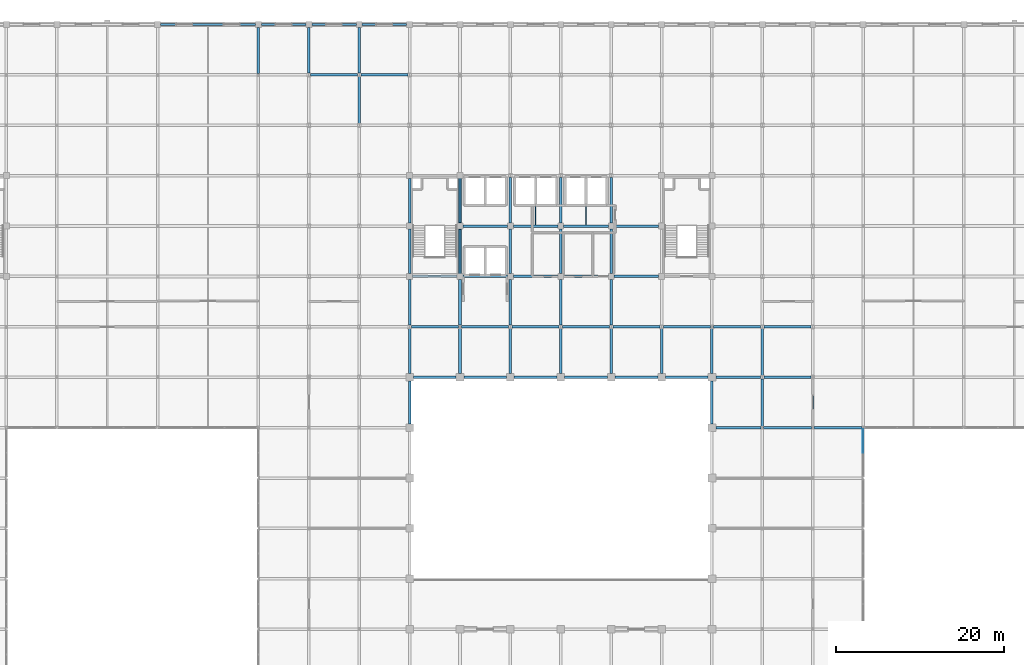
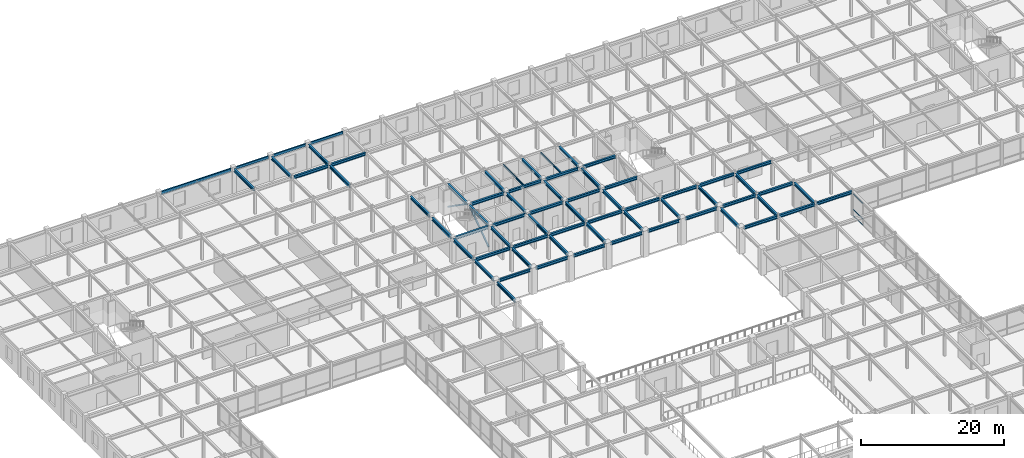
# One storey, part 75 of 108: 67 beams, 5 members, 1 element without a shape of its own.
"""IFC4 building model written with IfcOpenShell, lengths in metres."""

import ifcopenshell
import ifcopenshell.guid

model = None  # the IFC model being written
_history = None  # IfcOwnerHistory: only IFC2X3 demands one
_inside = {}  # id of a spatial element -> (the spatial element, [elements in it])
_under = {}  # id of a project, library or spatial element -> (it, [spatial elements below it])
_declared = {}  # id of a project -> (the project, [libraries it declares])
_typed = {}  # id of a type object -> (the type object, [elements of that type])
_made_of = {}  # id of a material, layer set ... -> (it, [elements and type objects made of it])


def new_model(schema):
    """Start an empty IFC model of exactly this schema.

    Asked for "IFC4X3", IfcOpenShell would pick the latest addendum, in which some entities
    have other attributes; the version numbers below select the first issue.
    IFC2X3 requires an IfcOwnerHistory on every rooted entity: one is made here for all.
    """
    global model, _history
    if schema == "IFC4X3":
        model = ifcopenshell.file(schema_version=(4, 3, 0, 0))
    else:
        model = ifcopenshell.file(schema=schema)
    _inside.clear()
    _under.clear()
    _declared.clear()
    _typed.clear()
    _made_of.clear()
    _history = None
    if model.schema == "IFC2X3":
        org = make("IfcOrganization", Name="unknown")
        user = make(
            "IfcPersonAndOrganization",
            ThePerson=make("IfcPerson", FamilyName="unknown"),
            TheOrganization=org,
        )
        app = make(
            "IfcApplication",
            ApplicationDeveloper=org,
            Version="unknown",
            ApplicationFullName="unknown",
            ApplicationIdentifier="unknown",
        )
        _history = make(
            "IfcOwnerHistory",
            OwningUser=user,
            OwningApplication=app,
            ChangeAction="ADDED",
            CreationDate=0,
        )
    return model


def make(cls, **values):
    """One entity of the class cls with the attributes given. An attribute that is None is left unset."""
    return model.create_entity(
        cls, **{name: value for name, value in values.items() if value is not None}
    )


def rooted(cls, **values):
    """An entity with a GlobalId (a new one), such as an element, a storey or a relation."""
    return make(cls, GlobalId=ifcopenshell.guid.new(), OwnerHistory=_history, **values)


def si_unit(unit_type, name, prefix=None):
    """IfcSIUnit, for example si_unit("LENGTHUNIT", "METRE", prefix="MILLI")."""
    return make("IfcSIUnit", UnitType=unit_type, Prefix=prefix, Name=name)


def assignment(units):
    """IfcUnitAssignment: the units of a project."""
    return None if units is None else make("IfcUnitAssignment", Units=units)


def point(xyz):
    """IfcCartesianPoint."""
    return None if xyz is None else make("IfcCartesianPoint", Coordinates=xyz)


def direction(xyz):
    """IfcDirection."""
    return None if xyz is None else make("IfcDirection", DirectionRatios=xyz)


def frame(location, z_axis=None, x_axis=None):
    """IfcAxis2Placement3D, a coordinate frame: its origin and axes. An axis left out is left unset."""
    return make(
        "IfcAxis2Placement3D",
        Location=point(location),
        Axis=direction(z_axis),
        RefDirection=direction(x_axis),
    )


def frame_2d(location, x_axis=None):
    """IfcAxis2Placement2D, a coordinate frame in the plane: its origin and x axis."""
    return make(
        "IfcAxis2Placement2D", Location=point(location), RefDirection=direction(x_axis)
    )


def origin():
    """The frame at (0, 0, 0) with its axes left unset."""
    return frame((0.0, 0.0, 0.0))


def origin_2d():
    """The frame at (0, 0) in the plane with its x axis left unset."""
    return frame_2d((0.0, 0.0))


def place(relative_to, where):
    """IfcLocalPlacement: puts the frame where relative to a parent placement (None: the world)."""
    return make(
        "IfcLocalPlacement", PlacementRelTo=relative_to, RelativePlacement=where
    )


def context(
    kind, dimensions, precision=None, world=None, true_north=None, identifier=None
):
    """IfcGeometricRepresentationContext, for example the 3D "Model" context."""
    return make(
        "IfcGeometricRepresentationContext",
        ContextIdentifier=identifier,
        ContextType=kind,
        CoordinateSpaceDimension=dimensions,
        Precision=precision,
        WorldCoordinateSystem=world,
        TrueNorth=true_north,
    )


def subcontext(parent, identifier, kind, view, scale=None):
    """IfcGeometricRepresentationSubContext, for example "Body" below "Model"."""
    return make(
        "IfcGeometricRepresentationSubContext",
        ContextIdentifier=identifier,
        ContextType=kind,
        ParentContext=parent,
        TargetScale=scale,
        TargetView=view,
    )


def project(units=None, contexts=None):
    """IfcProject with its units and contexts."""
    return rooted(
        "IfcProject",
        Name="project",
        RepresentationContexts=contexts,
        UnitsInContext=assignment(units),
    )


def spatial(cls, under=None, at=None, **own):
    """A site, building, storey or space (cls), placed at a placement, below another one or the project."""
    s = rooted(cls, ObjectPlacement=at, **own)
    if under is not None:
        _under.setdefault(under.id(), (under, []))[1].append(s)
    return s


def profile(cls, at=None, kind="AREA", **sizes):
    """A parametric profile (cls). Its sizes go by their IFC names, for example OverallWidth=200.0."""
    return make(cls, ProfileType=kind, Position=at, **sizes)


def hollow_rectangle(**sizes):
    """IfcRectangleHollowProfileDef."""
    return profile("IfcRectangleHollowProfileDef", **sizes)


def i_section(**sizes):
    """IfcIShapeProfileDef."""
    return profile("IfcIShapeProfileDef", **sizes)


def extrude(swept, where, along, depth):
    """IfcExtrudedAreaSolid: the profile swept, set in the frame where, extruded along a direction by depth."""
    return make(
        "IfcExtrudedAreaSolid",
        SweptArea=swept,
        Position=where,
        ExtrudedDirection=direction(along),
        Depth=depth,
    )


def shape(context_of_items, identifier, shape_type, items):
    """IfcShapeRepresentation: the items that make up one representation, for example the "Body"."""
    return make(
        "IfcShapeRepresentation",
        ContextOfItems=context_of_items,
        RepresentationIdentifier=identifier,
        RepresentationType=shape_type,
        Items=items,
    )


def material(Name=None, Category=None):
    """IfcMaterial."""
    return make("IfcMaterial", Name=Name, Category=Category)


def layer(
    of_material, thickness, ventilated=None, Name=None, Category=None, Priority=None
):
    """IfcMaterialLayer: one layer of a wall or slab, of a material (None: an air gap)."""
    return make(
        "IfcMaterialLayer",
        Material=of_material,
        LayerThickness=thickness,
        IsVentilated=ventilated,
        Name=Name,
        Category=Category,
        Priority=Priority,
    )


def layer_set(layers, Name=None):
    """IfcMaterialLayerSet."""
    return make("IfcMaterialLayerSet", MaterialLayers=layers, LayerSetName=Name)


def material_profile(
    of_material, cross_section, Name=None, Category=None, Priority=None
):
    """IfcMaterialProfile: a cross section and its material."""
    return make(
        "IfcMaterialProfile",
        Name=Name,
        Material=of_material,
        Profile=cross_section,
        Priority=Priority,
        Category=Category,
    )


def profile_set(profiles, Name=None, composite=None):
    """IfcMaterialProfileSet."""
    return make(
        "IfcMaterialProfileSet",
        Name=Name,
        MaterialProfiles=profiles,
        CompositeProfile=composite,
    )


def made_of(thing, what):
    """Note that an element or type object is made of a material, layer set ...; save() writes the relation."""
    if what is not None:
        _made_of.setdefault(what.id(), (what, []))[1].append(thing)
    return thing


def type_object(cls, material=None, **own):
    """A type object (cls), such as IfcWallType, which elements share."""
    return made_of(rooted(cls, **own), material)


def element(
    cls,
    number,
    at=None,
    inside=None,
    cuts=None,
    type_object=None,
    material=None,
    context=None,
    identifier="Body",
    shape_type=None,
    held_by="IfcProductDefinitionShape",
    body=None,
    shapes=None,
    **own,
):
    """One element of the class cls, such as IfcWall. Its Tag is "e" and its number.

    at: its placement. inside: the storey or other place that contains it. cuts: it is an
    opening in that element (IfcRelVoidsElement). A single representation is given by context,
    identifier, shape_type and body (its items); several are given by shapes. held_by: the class
    of the entity that holds the representations. save() writes the other relations.
    """
    e = rooted(cls, Tag="e%d" % number, ObjectPlacement=at, **own)
    if body is not None:
        shapes = [shape(context, identifier, shape_type, body)]
    if shapes is not None:
        e.Representation = make(held_by, Representations=shapes)
    if inside is not None:
        _inside.setdefault(inside.id(), (inside, []))[1].append(e)
    if cuts is not None:
        rooted(
            "IfcRelVoidsElement", RelatingBuildingElement=cuts, RelatedOpeningElement=e
        )
    if type_object is not None:
        _typed.setdefault(type_object.id(), (type_object, []))[1].append(e)
    return made_of(e, material)


def aggregate(whole, parts):
    """IfcRelAggregates: a whole, such as a stair, and the parts it consists of."""
    return rooted("IfcRelAggregates", RelatingObject=whole, RelatedObjects=parts)


def save(model, path):
    """Write the relations noted so far, then the file.

    IfcRelAggregates (storeys below a building ...), IfcRelContainedInSpatialStructure (elements
    in a storey), IfcRelDefinesByType, IfcRelAssociatesMaterial and IfcRelDeclares: one each for
    every whole, place, type object, material and project.
    """
    for whole, parts in _under.values():
        aggregate(whole, parts)
    for where, things in _inside.values():
        rooted(
            "IfcRelContainedInSpatialStructure",
            RelatedElements=things,
            RelatingStructure=where,
        )
    for kind, things in _typed.values():
        rooted("IfcRelDefinesByType", RelatedObjects=things, RelatingType=kind)
    for what, things in _made_of.values():
        rooted("IfcRelAssociatesMaterial", RelatedObjects=things, RelatingMaterial=what)
    for by, libraries in _declared.values():
        rooted("IfcRelDeclares", RelatingContext=by, RelatedDefinitions=libraries)
    model.write(path)


model = new_model("IFC4")

# Units and contexts
model_context = context("Model", 3, precision=1e-05, world=origin(), true_north=direction((0.0, 1.0)))
body_context = subcontext(model_context, "Body", "Model", "MODEL_VIEW")
ifc_project = project(units=[si_unit("LENGTHUNIT", "METRE"), si_unit("AREAUNIT", "SQUARE_METRE"), si_unit("VOLUMEUNIT", "CUBIC_METRE"), si_unit("PLANEANGLEUNIT", "RADIAN"), si_unit("MASSUNIT", "GRAM", prefix="KILO")], contexts=[model_context])

# Site, building, storey
site_placement = place(None, origin())
site = spatial("IfcSite", under=ifc_project, at=site_placement, CompositionType="ELEMENT")
building_placement = place(site_placement, origin())
building = spatial("IfcBuilding", under=site, at=building_placement, Name="Zlatovratsky Civic Hall", CompositionType="ELEMENT")
storey_placement = place(building_placement, frame((0.0, 0.0, 12.0)))
storey = spatial("IfcBuildingStorey", under=building, at=storey_placement, Name="L03", CompositionType="ELEMENT", Elevation=12.0)

# Beams
ifc_material_1 = material(Name="Steel S355", Category="steel")
ifc_material_profile_1 = material_profile(ifc_material_1, i_section(OverallWidth=0.300048828125, OverallDepth=0.48193359375, WebThickness=0.010986328125, FlangeThickness=0.014892578125, FilletRadius=0.02392578125, at=origin_2d()), Name="50Sh1")
ifc_profile_set_1 = profile_set([ifc_material_profile_1], Name="Steel S355")
beam_type_1 = type_object("IfcBeamType", Name="Beam_LibraryGirder_50Sh1", PredefinedType="BEAM", material=ifc_profile_set_1)
beam_1_placement = place(storey_placement, frame((102.449951171875, 66.0, 3.97900390625), z_axis=(1.0, 0.0, 0.0), x_axis=(0.0, 1.0, 0.0)))
element("IfcBeam", 1, at=beam_1_placement, inside=storey, type_object=beam_type_1, Name="BM-2613", PredefinedType="BEAM", context=body_context, shape_type="SweptSolid", body=[
    extrude(i_section(OverallWidth=0.300048828125, OverallDepth=0.48193359375, WebThickness=0.010986328125, FlangeThickness=0.014892578125, FilletRadius=0.02392578125, at=origin_2d()), origin(), (0.0, 0.0, 1.0), 5.400634765625),
])
for number, where, z_axis, x_axis, name in (
    (2, (108.1494140625, 66.0, 3.97900390625), (1.0, 0.0, 0.0), (0.0, 1.0, 0.0), "BM-2614"),
    (3, (114.1494140625, 66.0, 3.97900390625), (1.0, 0.0, 0.0), (0.0, 1.0, 0.0), "BM-2615"),
):
    element("IfcBeam", number, at=place(storey_placement, frame(where, z_axis=z_axis, x_axis=x_axis)), inside=storey, type_object=beam_type_1, Name=name, PredefinedType="BEAM", context=body_context, shape_type="SweptSolid", body=[
        extrude(i_section(OverallWidth=0.300048828125, OverallDepth=0.48193359375, WebThickness=0.010986328125, FlangeThickness=0.014892578125, FilletRadius=0.02392578125, at=origin_2d()), origin(), (0.0, 0.0, 1.0), 5.701171875),
    ])
for number, where, z_axis, x_axis, name in (
    (4, (66.449951171875, 72.0, 3.97900390625), (1.0, 0.0, 0.0), (0.0, 1.0, 0.0), "BM-2629"),
    (5, (72.449951171875, 72.0, 3.97900390625), (1.0, 0.0, 0.0), (0.0, 1.0, 0.0), "BM-2630"),
    (6, (78.449951171875, 72.0, 3.97900390625), (1.0, 0.0, 0.0), (0.0, 1.0, 0.0), "BM-2631"),
    (7, (84.449951171875, 72.0, 3.97900390625), (1.0, 0.0, 0.0), (0.0, 1.0, 0.0), "BM-2632"),
    (8, (90.449951171875, 72.0, 3.97900390625), (1.0, 0.0, 0.0), (0.0, 1.0, 0.0), "BM-2633"),
    (9, (96.449951171875, 72.0, 3.97900390625), (1.0, 0.0, 0.0), (0.0, 1.0, 0.0), "BM-2634"),
):
    element("IfcBeam", number, at=place(storey_placement, frame(where, z_axis=z_axis, x_axis=x_axis)), inside=storey, type_object=beam_type_1, Name=name, PredefinedType="BEAM", context=body_context, shape_type="SweptSolid", body=[
        extrude(i_section(OverallWidth=0.300048828125, OverallDepth=0.48193359375, WebThickness=0.010986328125, FlangeThickness=0.014892578125, FilletRadius=0.02392578125, at=origin_2d()), origin(), (0.0, 0.0, 1.0), 5.10009765625),
    ])
beam_2_placement = place(storey_placement, frame((102.449951171875, 72.0, 3.97900390625), z_axis=(1.0, 0.0, 0.0), x_axis=(0.0, 1.0, 0.0)))
element("IfcBeam", 10, at=beam_2_placement, inside=storey, type_object=beam_type_1, Name="BM-2635", PredefinedType="BEAM", context=body_context, shape_type="SweptSolid", body=[
    extrude(i_section(OverallWidth=0.300048828125, OverallDepth=0.48193359375, WebThickness=0.010986328125, FlangeThickness=0.014892578125, FilletRadius=0.02392578125, at=origin_2d()), origin(), (0.0, 0.0, 1.0), 5.34765625),
])
for number, where, z_axis, x_axis, name in (
    (11, (108.202392578125, 72.0, 3.97900390625), (1.0, 0.0, 0.0), (0.0, 1.0, 0.0), "BM-2636"),
    (12, (66.202392578125, 78.0, 3.97900390625), (1.0, 0.0, 0.0), (0.0, 1.0, 0.0), "BM-2651"),
    (13, (72.202392578125, 78.0, 3.97900390625), (1.0, 0.0, 0.0), (0.0, 1.0, 0.0), "BM-2652"),
    (14, (78.202392578125, 78.0, 3.97900390625), (1.0, 0.0, 0.0), (0.0, 1.0, 0.0), "BM-2653"),
    (15, (84.202392578125, 78.0, 3.97900390625), (1.0, 0.0, 0.0), (0.0, 1.0, 0.0), "BM-2654"),
    (16, (90.202392578125, 78.0, 3.97900390625), (1.0, 0.0, 0.0), (0.0, 1.0, 0.0), "BM-2655"),
    (17, (96.202392578125, 78.0, 3.97900390625), (1.0, 0.0, 0.0), (0.0, 1.0, 0.0), "BM-2656"),
    (18, (102.202392578125, 78.0, 3.97900390625), (1.0, 0.0, 0.0), (0.0, 1.0, 0.0), "BM-2657"),
    (19, (108.202392578125, 78.0, 3.97900390625), (1.0, 0.0, 0.0), (0.0, 1.0, 0.0), "BM-2658"),
):
    element("IfcBeam", number, at=place(storey_placement, frame(where, z_axis=z_axis, x_axis=x_axis)), inside=storey, type_object=beam_type_1, Name=name, PredefinedType="BEAM", context=body_context, shape_type="SweptSolid", body=[
        extrude(i_section(OverallWidth=0.300048828125, OverallDepth=0.48193359375, WebThickness=0.010986328125, FlangeThickness=0.014892578125, FilletRadius=0.02392578125, at=origin_2d()), origin(), (0.0, 0.0, 1.0), 5.59521484375),
    ])
for number, where, z_axis, x_axis, name in (
    (20, (66.35009765625, 84.0, 3.97900390625), (1.0, 0.0, 0.0), (0.0, 1.0, 0.0), "BM-2673"),
    (21, (72.35009765625, 84.0, 3.97900390625), (1.0, 0.0, 0.0), (0.0, 1.0, 0.0), "BM-2674"),
    (22, (78.35009765625, 84.0, 3.97900390625), (1.0, 0.0, 0.0), (0.0, 1.0, 0.0), "BM-2675"),
    (23, (84.35009765625, 84.0, 3.97900390625), (1.0, 0.0, 0.0), (0.0, 1.0, 0.0), "BM-2676"),
    (24, (90.35009765625, 84.0, 3.97900390625), (1.0, 0.0, 0.0), (0.0, 1.0, 0.0), "BM-2677"),
    (25, (72.35009765625, 90.0, 3.97900390625), (1.0, 0.0, 0.0), (0.0, 1.0, 0.0), "BM-2694"),
    (26, (78.35009765625, 90.0, 3.97900390625), (1.0, 0.0, 0.0), (0.0, 1.0, 0.0), "BM-2695"),
    (27, (84.35009765625, 90.0, 3.97900390625), (1.0, 0.0, 0.0), (0.0, 1.0, 0.0), "BM-2696"),
    (28, (90.35009765625, 90.0, 3.97900390625), (1.0, 0.0, 0.0), (0.0, 1.0, 0.0), "BM-2697"),
):
    element("IfcBeam", number, at=place(storey_placement, frame(where, z_axis=z_axis, x_axis=x_axis)), inside=storey, type_object=beam_type_1, Name=name, PredefinedType="BEAM", context=body_context, shape_type="SweptSolid", body=[
        extrude(i_section(OverallWidth=0.300048828125, OverallDepth=0.48193359375, WebThickness=0.010986328125, FlangeThickness=0.014892578125, FilletRadius=0.02392578125, at=origin_2d()), origin(), (0.0, 0.0, 1.0), 5.2998046875),
    ])
for number, where, z_axis, x_axis, name in (
    (29, (54.202392578125, 108.0, 3.97900390625), (1.0, 0.0, 0.0), (0.0, 1.0, 0.0), "BM-2755"),
    (30, (60.202392578125, 108.0, 3.97900390625), (1.0, 0.0, 0.0), (0.0, 1.0, 0.0), "BM-2756"),
):
    element("IfcBeam", number, at=place(storey_placement, frame(where, z_axis=z_axis, x_axis=x_axis)), inside=storey, type_object=beam_type_1, Name=name, PredefinedType="BEAM", context=body_context, shape_type="SweptSolid", body=[
        extrude(i_section(OverallWidth=0.300048828125, OverallDepth=0.48193359375, WebThickness=0.010986328125, FlangeThickness=0.014892578125, FilletRadius=0.02392578125, at=origin_2d()), origin(), (0.0, 0.0, 1.0), 5.59521484375),
    ])
beam_3_placement = place(storey_placement, frame((48.0, 108.14794921875, 3.97900390625), z_axis=(0.0, 1.0, 0.0), x_axis=(-1.0, 0.0, 0.0)))
element("IfcBeam", 31, at=beam_3_placement, inside=storey, type_object=beam_type_1, Name="BM-2882", PredefinedType="BEAM", context=body_context, shape_type="SweptSolid", body=[
    extrude(i_section(OverallWidth=0.300048828125, OverallDepth=0.48193359375, WebThickness=0.010986328125, FlangeThickness=0.014892578125, FilletRadius=0.02392578125, at=origin_2d()), origin(), (0.0, 0.0, 1.0), 5.501953125),
])
beam_4_placement = place(storey_placement, frame((54.0, 108.208984375, 3.97900390625), z_axis=(0.0, 1.0, 0.0), x_axis=(-1.0, 0.0, 0.0)))
element("IfcBeam", 32, at=beam_4_placement, inside=storey, type_object=beam_type_1, Name="BM-2899", PredefinedType="BEAM", context=body_context, shape_type="SweptSolid", body=[
    extrude(i_section(OverallWidth=0.300048828125, OverallDepth=0.48193359375, WebThickness=0.010986328125, FlangeThickness=0.014892578125, FilletRadius=0.02392578125, at=origin_2d()), origin(), (0.0, 0.0, 1.0), 5.44091796875),
])
beam_5_placement = place(storey_placement, frame((60.0, 102.208984375, 3.97900390625), z_axis=(0.0, 1.0, 0.0), x_axis=(-1.0, 0.0, 0.0)))
element("IfcBeam", 33, at=beam_5_placement, inside=storey, type_object=beam_type_1, Name="BM-2914", PredefinedType="BEAM", context=body_context, shape_type="SweptSolid", body=[
    extrude(i_section(OverallWidth=0.300048828125, OverallDepth=0.48193359375, WebThickness=0.010986328125, FlangeThickness=0.014892578125, FilletRadius=0.02392578125, at=origin_2d()), origin(), (0.0, 0.0, 1.0), 5.58203125),
])
beam_6_placement = place(storey_placement, frame((60.0, 108.208984375, 3.97900390625), z_axis=(0.0, 1.0, 0.0), x_axis=(-1.0, 0.0, 0.0)))
element("IfcBeam", 34, at=beam_6_placement, inside=storey, type_object=beam_type_1, Name="BM-2915", PredefinedType="BEAM", context=body_context, shape_type="SweptSolid", body=[
    extrude(i_section(OverallWidth=0.300048828125, OverallDepth=0.48193359375, WebThickness=0.010986328125, FlangeThickness=0.014892578125, FilletRadius=0.02392578125, at=origin_2d()), origin(), (0.0, 0.0, 1.0), 5.44091796875),
])
beam_7_placement = place(storey_placement, frame((66.0, 66.449951171875, 3.97900390625), z_axis=(0.0, 1.0, 0.0), x_axis=(-1.0, 0.0, 0.0)))
element("IfcBeam", 35, at=beam_7_placement, inside=storey, type_object=beam_type_1, Name="BM-2924", PredefinedType="BEAM", context=body_context, shape_type="SweptSolid", body=[
    extrude(i_section(OverallWidth=0.300048828125, OverallDepth=0.48193359375, WebThickness=0.010986328125, FlangeThickness=0.014892578125, FilletRadius=0.02392578125, at=origin_2d()), origin(), (0.0, 0.0, 1.0), 5.10009765625),
])
beam_8_placement = place(storey_placement, frame((66.0, 72.449951171875, 3.97900390625), z_axis=(0.0, 1.0, 0.0), x_axis=(-1.0, 0.0, 0.0)))
element("IfcBeam", 36, at=beam_8_placement, inside=storey, type_object=beam_type_1, Name="BM-2925", PredefinedType="BEAM", context=body_context, shape_type="SweptSolid", body=[
    extrude(i_section(OverallWidth=0.300048828125, OverallDepth=0.48193359375, WebThickness=0.010986328125, FlangeThickness=0.014892578125, FilletRadius=0.02392578125, at=origin_2d()), origin(), (0.0, 0.0, 1.0), 5.341064453125),
])
beam_9_placement = place(storey_placement, frame((66.0, 78.208984375, 3.97900390625), z_axis=(0.0, 1.0, 0.0), x_axis=(-1.0, 0.0, 0.0)))
element("IfcBeam", 37, at=beam_9_placement, inside=storey, type_object=beam_type_1, Name="BM-2926", PredefinedType="BEAM", context=body_context, shape_type="SweptSolid", body=[
    extrude(i_section(OverallWidth=0.300048828125, OverallDepth=0.48193359375, WebThickness=0.010986328125, FlangeThickness=0.014892578125, FilletRadius=0.02392578125, at=origin_2d()), origin(), (0.0, 0.0, 1.0), 5.44091796875),
])
for number, where, z_axis, x_axis, name in (
    (38, (66.0, 84.35009765625, 3.97900390625), (0.0, 1.0, 0.0), (-1.0, 0.0, 0.0), "BM-2927"),
    (39, (66.0, 90.35009765625, 3.97900390625), (0.0, 1.0, 0.0), (-1.0, 0.0, 0.0), "BM-2928"),
):
    element("IfcBeam", number, at=place(storey_placement, frame(where, z_axis=z_axis, x_axis=x_axis)), inside=storey, type_object=beam_type_1, Name=name, PredefinedType="BEAM", context=body_context, shape_type="SweptSolid", body=[
        extrude(i_section(OverallWidth=0.300048828125, OverallDepth=0.48193359375, WebThickness=0.010986328125, FlangeThickness=0.014892578125, FilletRadius=0.02392578125, at=origin_2d()), origin(), (0.0, 0.0, 1.0), 5.2998046875),
    ])
beam_10_placement = place(storey_placement, frame((72.0, 72.449951171875, 3.97900390625), z_axis=(0.0, 1.0, 0.0), x_axis=(-1.0, 0.0, 0.0)))
element("IfcBeam", 40, at=beam_10_placement, inside=storey, type_object=beam_type_1, Name="BM-2936", PredefinedType="BEAM", context=body_context, shape_type="SweptSolid", body=[
    extrude(i_section(OverallWidth=0.300048828125, OverallDepth=0.48193359375, WebThickness=0.010986328125, FlangeThickness=0.014892578125, FilletRadius=0.02392578125, at=origin_2d()), origin(), (0.0, 0.0, 1.0), 5.341064453125),
])
beam_11_placement = place(storey_placement, frame((72.0, 78.208984375, 3.97900390625), z_axis=(0.0, 1.0, 0.0), x_axis=(-1.0, 0.0, 0.0)))
element("IfcBeam", 41, at=beam_11_placement, inside=storey, type_object=beam_type_1, Name="BM-2937", PredefinedType="BEAM", context=body_context, shape_type="SweptSolid", body=[
    extrude(i_section(OverallWidth=0.300048828125, OverallDepth=0.48193359375, WebThickness=0.010986328125, FlangeThickness=0.014892578125, FilletRadius=0.02392578125, at=origin_2d()), origin(), (0.0, 0.0, 1.0), 5.44091796875),
])
for number, where, z_axis, x_axis, name in (
    (42, (72.0, 84.35009765625, 3.97900390625), (0.0, 1.0, 0.0), (-1.0, 0.0, 0.0), "BM-2938"),
    (43, (72.0, 90.35009765625, 3.97900390625), (0.0, 1.0, 0.0), (-1.0, 0.0, 0.0), "BM-2939"),
):
    element("IfcBeam", number, at=place(storey_placement, frame(where, z_axis=z_axis, x_axis=x_axis)), inside=storey, type_object=beam_type_1, Name=name, PredefinedType="BEAM", context=body_context, shape_type="SweptSolid", body=[
        extrude(i_section(OverallWidth=0.300048828125, OverallDepth=0.48193359375, WebThickness=0.010986328125, FlangeThickness=0.014892578125, FilletRadius=0.02392578125, at=origin_2d()), origin(), (0.0, 0.0, 1.0), 5.2998046875),
    ])
beam_12_placement = place(storey_placement, frame((78.0, 72.449951171875, 3.97900390625), z_axis=(0.0, 1.0, 0.0), x_axis=(-1.0, 0.0, 0.0)))
element("IfcBeam", 44, at=beam_12_placement, inside=storey, type_object=beam_type_1, Name="BM-2945", PredefinedType="BEAM", context=body_context, shape_type="SweptSolid", body=[
    extrude(i_section(OverallWidth=0.300048828125, OverallDepth=0.48193359375, WebThickness=0.010986328125, FlangeThickness=0.014892578125, FilletRadius=0.02392578125, at=origin_2d()), origin(), (0.0, 0.0, 1.0), 5.341064453125),
])
beam_13_placement = place(storey_placement, frame((78.0, 78.208984375, 3.97900390625), z_axis=(0.0, 1.0, 0.0), x_axis=(-1.0, 0.0, 0.0)))
element("IfcBeam", 45, at=beam_13_placement, inside=storey, type_object=beam_type_1, Name="BM-2946", PredefinedType="BEAM", context=body_context, shape_type="SweptSolid", body=[
    extrude(i_section(OverallWidth=0.300048828125, OverallDepth=0.48193359375, WebThickness=0.010986328125, FlangeThickness=0.014892578125, FilletRadius=0.02392578125, at=origin_2d()), origin(), (0.0, 0.0, 1.0), 5.44091796875),
])
beam_14_placement = place(storey_placement, frame((78.0, 84.35009765625, 3.97900390625), z_axis=(0.0, 1.0, 0.0), x_axis=(-1.0, 0.0, 0.0)))
element("IfcBeam", 46, at=beam_14_placement, inside=storey, type_object=beam_type_1, Name="BM-2947", PredefinedType="BEAM", context=body_context, shape_type="SweptSolid", body=[
    extrude(i_section(OverallWidth=0.300048828125, OverallDepth=0.48193359375, WebThickness=0.010986328125, FlangeThickness=0.014892578125, FilletRadius=0.02392578125, at=origin_2d()), origin(), (0.0, 0.0, 1.0), 5.2998046875),
])
beam_15_placement = place(storey_placement, frame((78.0, 90.35009765625, 3.97900390625), z_axis=(0.0, 1.0, 0.0), x_axis=(-1.0, 0.0, 0.0)))
element("IfcBeam", 47, at=beam_15_placement, inside=storey, type_object=beam_type_1, Name="BM-2948", PredefinedType="BEAM", context=body_context, shape_type="SweptSolid", body=[
    extrude(i_section(OverallWidth=0.300048828125, OverallDepth=0.48193359375, WebThickness=0.010986328125, FlangeThickness=0.014892578125, FilletRadius=0.02392578125, at=origin_2d()), origin(), (0.0, 0.0, 1.0), 5.44091796875),
])
beam_16_placement = place(storey_placement, frame((84.0, 72.449951171875, 3.97900390625), z_axis=(0.0, 1.0, 0.0), x_axis=(-1.0, 0.0, 0.0)))
element("IfcBeam", 48, at=beam_16_placement, inside=storey, type_object=beam_type_1, Name="BM-2954", PredefinedType="BEAM", context=body_context, shape_type="SweptSolid", body=[
    extrude(i_section(OverallWidth=0.300048828125, OverallDepth=0.48193359375, WebThickness=0.010986328125, FlangeThickness=0.014892578125, FilletRadius=0.02392578125, at=origin_2d()), origin(), (0.0, 0.0, 1.0), 5.341064453125),
])
beam_17_placement = place(storey_placement, frame((84.0, 78.208984375, 3.97900390625), z_axis=(0.0, 1.0, 0.0), x_axis=(-1.0, 0.0, 0.0)))
element("IfcBeam", 49, at=beam_17_placement, inside=storey, type_object=beam_type_1, Name="BM-2955", PredefinedType="BEAM", context=body_context, shape_type="SweptSolid", body=[
    extrude(i_section(OverallWidth=0.300048828125, OverallDepth=0.48193359375, WebThickness=0.010986328125, FlangeThickness=0.014892578125, FilletRadius=0.02392578125, at=origin_2d()), origin(), (0.0, 0.0, 1.0), 5.44091796875),
])
beam_18_placement = place(storey_placement, frame((84.0, 84.35009765625, 3.97900390625), z_axis=(0.0, 1.0, 0.0), x_axis=(-1.0, 0.0, 0.0)))
element("IfcBeam", 50, at=beam_18_placement, inside=storey, type_object=beam_type_1, Name="BM-2956", PredefinedType="BEAM", context=body_context, shape_type="SweptSolid", body=[
    extrude(i_section(OverallWidth=0.300048828125, OverallDepth=0.48193359375, WebThickness=0.010986328125, FlangeThickness=0.014892578125, FilletRadius=0.02392578125, at=origin_2d()), origin(), (0.0, 0.0, 1.0), 5.2998046875),
])
beam_19_placement = place(storey_placement, frame((84.0, 90.35009765625, 3.97900390625), z_axis=(0.0, 1.0, 0.0), x_axis=(-1.0, 0.0, 0.0)))
element("IfcBeam", 51, at=beam_19_placement, inside=storey, type_object=beam_type_1, Name="BM-2957", PredefinedType="BEAM", context=body_context, shape_type="SweptSolid", body=[
    extrude(i_section(OverallWidth=0.300048828125, OverallDepth=0.48193359375, WebThickness=0.010986328125, FlangeThickness=0.014892578125, FilletRadius=0.02392578125, at=origin_2d()), origin(), (0.0, 0.0, 1.0), 5.44091796875),
])
beam_20_placement = place(storey_placement, frame((90.0, 72.449951171875, 3.97900390625), z_axis=(0.0, 1.0, 0.0), x_axis=(-1.0, 0.0, 0.0)))
element("IfcBeam", 52, at=beam_20_placement, inside=storey, type_object=beam_type_1, Name="BM-2963", PredefinedType="BEAM", context=body_context, shape_type="SweptSolid", body=[
    extrude(i_section(OverallWidth=0.300048828125, OverallDepth=0.48193359375, WebThickness=0.010986328125, FlangeThickness=0.014892578125, FilletRadius=0.02392578125, at=origin_2d()), origin(), (0.0, 0.0, 1.0), 5.341064453125),
])
beam_21_placement = place(storey_placement, frame((90.0, 78.208984375, 3.97900390625), z_axis=(0.0, 1.0, 0.0), x_axis=(-1.0, 0.0, 0.0)))
element("IfcBeam", 53, at=beam_21_placement, inside=storey, type_object=beam_type_1, Name="BM-2964", PredefinedType="BEAM", context=body_context, shape_type="SweptSolid", body=[
    extrude(i_section(OverallWidth=0.300048828125, OverallDepth=0.48193359375, WebThickness=0.010986328125, FlangeThickness=0.014892578125, FilletRadius=0.02392578125, at=origin_2d()), origin(), (0.0, 0.0, 1.0), 5.44091796875),
])
beam_22_placement = place(storey_placement, frame((90.0, 84.35009765625, 3.97900390625), z_axis=(0.0, 1.0, 0.0), x_axis=(-1.0, 0.0, 0.0)))
element("IfcBeam", 54, at=beam_22_placement, inside=storey, type_object=beam_type_1, Name="BM-2965", PredefinedType="BEAM", context=body_context, shape_type="SweptSolid", body=[
    extrude(i_section(OverallWidth=0.300048828125, OverallDepth=0.48193359375, WebThickness=0.010986328125, FlangeThickness=0.014892578125, FilletRadius=0.02392578125, at=origin_2d()), origin(), (0.0, 0.0, 1.0), 5.2998046875),
])
beam_23_placement = place(storey_placement, frame((90.0, 90.35009765625, 3.97900390625), z_axis=(0.0, 1.0, 0.0), x_axis=(-1.0, 0.0, 0.0)))
element("IfcBeam", 55, at=beam_23_placement, inside=storey, type_object=beam_type_1, Name="BM-2966", PredefinedType="BEAM", context=body_context, shape_type="SweptSolid", body=[
    extrude(i_section(OverallWidth=0.300048828125, OverallDepth=0.48193359375, WebThickness=0.010986328125, FlangeThickness=0.014892578125, FilletRadius=0.02392578125, at=origin_2d()), origin(), (0.0, 0.0, 1.0), 5.44091796875),
])
beam_24_placement = place(storey_placement, frame((96.0, 72.449951171875, 3.97900390625), z_axis=(0.0, 1.0, 0.0), x_axis=(-1.0, 0.0, 0.0)))
element("IfcBeam", 56, at=beam_24_placement, inside=storey, type_object=beam_type_1, Name="BM-2974", PredefinedType="BEAM", context=body_context, shape_type="SweptSolid", body=[
    extrude(i_section(OverallWidth=0.300048828125, OverallDepth=0.48193359375, WebThickness=0.010986328125, FlangeThickness=0.014892578125, FilletRadius=0.02392578125, at=origin_2d()), origin(), (0.0, 0.0, 1.0), 5.341064453125),
])
beam_25_placement = place(storey_placement, frame((102.0, 66.449951171875, 3.97900390625), z_axis=(0.0, 1.0, 0.0), x_axis=(-1.0, 0.0, 0.0)))
element("IfcBeam", 57, at=beam_25_placement, inside=storey, type_object=beam_type_1, Name="BM-2989", PredefinedType="BEAM", context=body_context, shape_type="SweptSolid", body=[
    extrude(i_section(OverallWidth=0.300048828125, OverallDepth=0.48193359375, WebThickness=0.010986328125, FlangeThickness=0.014892578125, FilletRadius=0.02392578125, at=origin_2d()), origin(), (0.0, 0.0, 1.0), 5.10009765625),
])
beam_26_placement = place(storey_placement, frame((102.0, 72.449951171875, 3.97900390625), z_axis=(0.0, 1.0, 0.0), x_axis=(-1.0, 0.0, 0.0)))
element("IfcBeam", 58, at=beam_26_placement, inside=storey, type_object=beam_type_1, Name="BM-2990", PredefinedType="BEAM", context=body_context, shape_type="SweptSolid", body=[
    extrude(i_section(OverallWidth=0.300048828125, OverallDepth=0.48193359375, WebThickness=0.010986328125, FlangeThickness=0.014892578125, FilletRadius=0.02392578125, at=origin_2d()), origin(), (0.0, 0.0, 1.0), 5.341064453125),
])
beam_27_placement = place(storey_placement, frame((108.0, 66.14794921875, 3.97900390625), z_axis=(0.0, 1.0, 0.0), x_axis=(-1.0, 0.0, 0.0)))
element("IfcBeam", 59, at=beam_27_placement, inside=storey, type_object=beam_type_1, Name="BM-3005", PredefinedType="BEAM", context=body_context, shape_type="SweptSolid", body=[
    extrude(i_section(OverallWidth=0.300048828125, OverallDepth=0.48193359375, WebThickness=0.010986328125, FlangeThickness=0.014892578125, FilletRadius=0.02392578125, at=origin_2d()), origin(), (0.0, 0.0, 1.0), 5.64306640625),
])
beam_28_placement = place(storey_placement, frame((108.0, 72.208984375, 3.97900390625), z_axis=(0.0, 1.0, 0.0), x_axis=(-1.0, 0.0, 0.0)))
element("IfcBeam", 60, at=beam_28_placement, inside=storey, type_object=beam_type_1, Name="BM-3006", PredefinedType="BEAM", context=body_context, shape_type="SweptSolid", body=[
    extrude(i_section(OverallWidth=0.300048828125, OverallDepth=0.48193359375, WebThickness=0.010986328125, FlangeThickness=0.014892578125, FilletRadius=0.02392578125, at=origin_2d()), origin(), (0.0, 0.0, 1.0), 5.58203125),
])
beam_29_placement = place(storey_placement, frame((114.0, 66.14794921875, 3.97900390625), z_axis=(0.0, 1.0, 0.0), x_axis=(-1.0, 0.0, 0.0)))
element("IfcBeam", 61, at=beam_29_placement, inside=storey, type_object=beam_type_1, Name="BM-3022", PredefinedType="BEAM", context=body_context, shape_type="SweptSolid", body=[
    extrude(i_section(OverallWidth=0.300048828125, OverallDepth=0.48193359375, WebThickness=0.010986328125, FlangeThickness=0.014892578125, FilletRadius=0.02392578125, at=origin_2d()), origin(), (0.0, 0.0, 1.0), 5.64306640625),
])
ifc_material_profile_2 = material_profile(ifc_material_1, i_section(OverallWidth=0.198974609375, OverallDepth=0.491943359375, WebThickness=0.0087890625, FlangeThickness=0.011962890625, FilletRadius=0.01611328125, at=origin_2d()), Name="50B1")
ifc_profile_set_2 = profile_set([ifc_material_profile_2], Name="Steel S355")
beam_type_2 = type_object("IfcBeamType", Name="Beam_Spandrel_50B1", PredefinedType="SPANDREL", material=ifc_profile_set_2)
for number, where, z_axis, x_axis, name in (
    (62, (48.35009765625, 114.0, 3.97412109375), (1.0, 0.0, 0.0), (0.0, 1.0, 0.0), "BM-2776"),
    (63, (54.35009765625, 114.0, 3.97412109375), (1.0, 0.0, 0.0), (0.0, 1.0, 0.0), "BM-2777"),
    (64, (60.35009765625, 114.0, 3.97412109375), (1.0, 0.0, 0.0), (0.0, 1.0, 0.0), "BM-2778"),
):
    element("IfcBeam", number, at=place(storey_placement, frame(where, z_axis=z_axis, x_axis=x_axis)), inside=storey, type_object=beam_type_2, Name=name, PredefinedType="SPANDREL", context=body_context, shape_type="SweptSolid", body=[
        extrude(i_section(OverallWidth=0.198974609375, OverallDepth=0.491943359375, WebThickness=0.0087890625, FlangeThickness=0.011962890625, FilletRadius=0.01611328125, at=origin_2d()), origin(), (0.0, 0.0, 1.0), 5.2998046875),
    ])
ifc_material_profile_3 = material_profile(ifc_material_1, i_section(OverallWidth=0.219970703125, OverallDepth=0.54296875, WebThickness=0.009521484375, FlangeThickness=0.013427734375, FilletRadius=0.01806640625, at=origin_2d()), Name="55B1")
ifc_profile_set_3 = profile_set([ifc_material_profile_3], Name="Steel S355")
beam_type_3 = type_object("IfcBeamType", Name="Beam_Spandrel_55B1", PredefinedType="SPANDREL", material=ifc_profile_set_3)
beam_30_placement = place(storey_placement, frame((36.35009765625, 114.0, 3.948486328125), z_axis=(1.0, 0.0, 0.0), x_axis=(0.0, 1.0, 0.0)))
element("IfcBeam", 65, at=beam_30_placement, inside=storey, type_object=beam_type_3, Name="BM-2775", PredefinedType="SPANDREL", context=body_context, shape_type="SweptSolid", body=[
    extrude(i_section(OverallWidth=0.219970703125, OverallDepth=0.54296875, WebThickness=0.009521484375, FlangeThickness=0.013427734375, FilletRadius=0.01806640625, at=origin_2d()), origin(), (0.0, 0.0, 1.0), 11.2998046875),
])

# Members
ifc_material_profile_4 = material_profile(ifc_material_1, hollow_rectangle(XDim=0.219970703125, YDim=0.219970703125, WallThickness=0.010009765625, at=origin_2d()), Name="SHS 220x220x10")
ifc_profile_set_4 = profile_set([ifc_material_profile_4], Name="Steel S355")
member_type_1 = type_object("IfcMemberType", Name="Brace_Podium_SHS220", PredefinedType="BRACE", material=ifc_profile_set_4)
for number, where, z_axis, x_axis, name in (
    (66, (72.0, 84.35009765625, 0.25), (0.0, 0.819951728037, 0.572432671752), (-1.0, 0.0, 0.0), "MB-0108"),
    (67, (72.0, 90.35009765625, 3.949951171875), (0.0, 0.819951728037, -0.572432671752), (-1.0, 0.0, 0.0), "MB-0109"),
):
    element("IfcMember", number, at=place(storey_placement, frame(where, z_axis=z_axis, x_axis=x_axis)), inside=storey, type_object=member_type_1, Name=name, PredefinedType="BRACE", context=body_context, shape_type="SweptSolid", body=[
        extrude(hollow_rectangle(XDim=0.219970703125, YDim=0.219970703125, WallThickness=0.010009765625, at=origin_2d()), origin(), (0.0, 0.0, 1.0), 6.463623046875),
    ])

# Curtain wall, members
ifc_material_2 = material(Name="Anodised bronze aluminium", Category="aluminium")
ifc_layer = layer(ifc_material_2, 0.159912109375)
ifc_layer_set = layer_set([ifc_layer], Name="Anodised bronze aluminium")
curtain_wall_type = type_object("IfcCurtainWallType", Name="CurtainWall_Bronze_5700x3770_12", PredefinedType="NOTDEFINED", material=ifc_layer_set)
curtain_wall_placement = place(storey_placement, origin())
curtain_wall = element("IfcCurtainWall", 68, at=curtain_wall_placement, inside=storey, type_object=curtain_wall_type, Name="CW-080", PredefinedType="NOTDEFINED")
ifc_material_profile_5 = material_profile(ifc_material_2, hollow_rectangle(XDim=0.06005859375, YDim=0.1201171875, WallThickness=0.00390625, at=origin_2d()), Name="ALU 60x120x4")
ifc_profile_set_5 = profile_set([ifc_material_profile_5], Name="Anodised bronze aluminium")
member_type_2 = type_object("IfcMemberType", Name="CW_Transom_60x120", PredefinedType="USERDEFINED", material=ifc_profile_set_5)
member_1_placement = place(storey_placement, frame((120.0, 63.030029296875, 0.030029296875), z_axis=(0.0, 1.0, 0.0), x_axis=(-1.0, 0.0, 0.0)))
member_1 = element("IfcMember", 69, at=member_1_placement, type_object=member_type_2, Name="CW-12 transom 2.1", ObjectType="TRANSOM", PredefinedType="USERDEFINED", context=body_context, shape_type="SweptSolid", body=[
    extrude(hollow_rectangle(XDim=0.06005859375, YDim=0.1201171875, WallThickness=0.00390625, at=origin_2d()), origin(), (0.0, 0.0, 1.0), 2.761962890625),
])
member_2_placement = place(storey_placement, frame((120.0, 63.030029296875, 1.10009765625), z_axis=(0.0, 1.0, 0.0), x_axis=(-1.0, 0.0, 0.0)))
member_2 = element("IfcMember", 70, at=member_2_placement, type_object=member_type_2, Name="CW-12 transom 2.2", ObjectType="TRANSOM", PredefinedType="USERDEFINED", context=body_context, shape_type="SweptSolid", body=[
    extrude(hollow_rectangle(XDim=0.06005859375, YDim=0.1201171875, WallThickness=0.00390625, at=origin_2d()), origin(), (0.0, 0.0, 1.0), 2.761962890625),
])
member_3_placement = place(storey_placement, frame((120.0, 63.030029296875, 3.739990234375), z_axis=(0.0, 1.0, 0.0), x_axis=(-1.0, 0.0, 0.0)))
member_3 = element("IfcMember", 71, at=member_3_placement, type_object=member_type_2, Name="CW-12 transom 2.3", ObjectType="TRANSOM", PredefinedType="USERDEFINED", context=body_context, shape_type="SweptSolid", body=[
    extrude(hollow_rectangle(XDim=0.06005859375, YDim=0.1201171875, WallThickness=0.00390625, at=origin_2d()), origin(), (0.0, 0.0, 1.0), 2.761962890625),
])
aggregate(curtain_wall, [member_1, member_2, member_3])

# Beams
ifc_material_profile_6 = material_profile(ifc_material_1, i_section(OverallWidth=0.14892578125, OverallDepth=0.2958984375, WebThickness=0.005615234375, FlangeThickness=0.008056640625, FilletRadius=0.012939453125, at=origin_2d()), Name="30B1")
ifc_profile_set_6 = profile_set([ifc_material_profile_6], Name="Steel S355")
beam_type_4 = type_object("IfcBeamType", Name="Joist_Tower_30B1", PredefinedType="JOIST", material=ifc_profile_set_6)
for number, where, z_axis, x_axis, name in (
    (72, (81.0, 90.14990234375, 4.072021484375), (0.0, 1.0, 0.0), (-1.0, 0.0, 0.0), "BM-3177"),
    (73, (87.0, 90.14990234375, 4.072021484375), (0.0, 1.0, 0.0), (-1.0, 0.0, 0.0), "BM-3178"),
):
    element("IfcBeam", number, at=place(storey_placement, frame(where, z_axis=z_axis, x_axis=x_axis)), inside=storey, type_object=beam_type_4, Name=name, PredefinedType="JOIST", context=body_context, shape_type="SweptSolid", body=[
        extrude(i_section(OverallWidth=0.14892578125, OverallDepth=0.2958984375, WebThickness=0.005615234375, FlangeThickness=0.008056640625, FilletRadius=0.012939453125, at=origin_2d()), origin(), (0.0, 0.0, 1.0), 5.7001953125),
    ])

save(model, "model.ifc")
